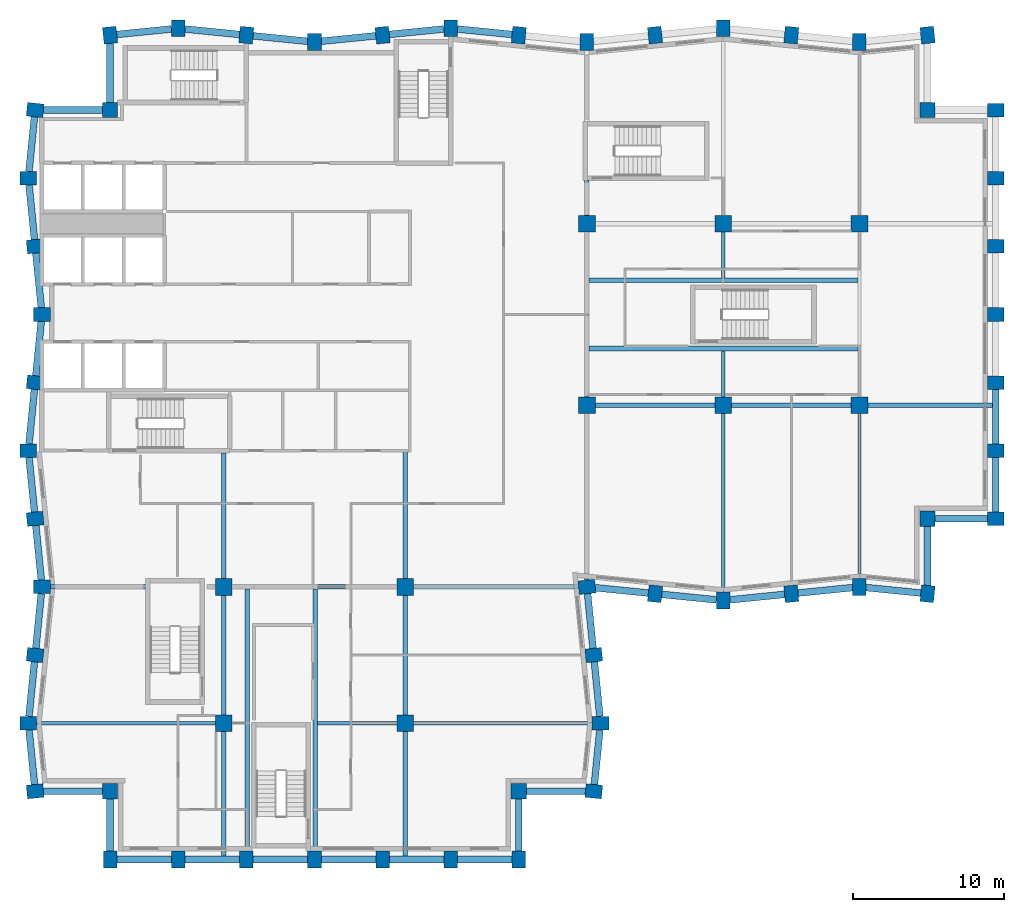
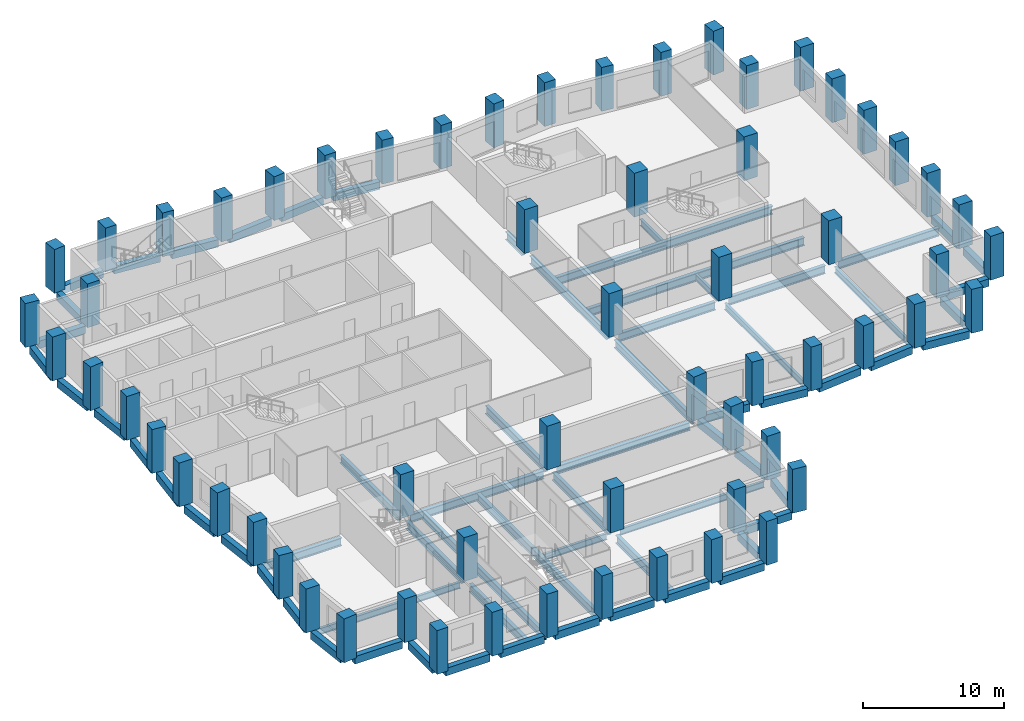
# One storey, part 1 of 10: 66 beams, 62 columns.
"""IFC4 building model written with IfcOpenShell, lengths in metres."""

from ifc_helpers import new_model, si_unit, direction, frame, origin, origin_2d, place, context, subcontext, project, spatial, rectangle, i_section, extrude, material, material_profile, profile_set, type_object, element, save


model = new_model("IFC4")

# Units and contexts
model_context = context("Model", 3, precision=1e-05, world=origin(), true_north=direction((0.0, 1.0)))
body_context = subcontext(model_context, "Body", "Model", "MODEL_VIEW")
ifc_project = project(units=[si_unit("LENGTHUNIT", "METRE"), si_unit("AREAUNIT", "SQUARE_METRE"), si_unit("VOLUMEUNIT", "CUBIC_METRE"), si_unit("PLANEANGLEUNIT", "RADIAN"), si_unit("MASSUNIT", "GRAM", prefix="KILO")], contexts=[model_context])

# Site, building, storey
site_placement = place(None, origin())
site = spatial("IfcSite", under=ifc_project, at=site_placement, CompositionType="ELEMENT")
building_placement = place(site_placement, origin())
building = spatial("IfcBuilding", under=site, at=building_placement, Name="Brondeck Convention Tower", CompositionType="ELEMENT")
storey_placement = place(building_placement, frame((0.0, 0.0, 154.800048828125)))
storey = spatial("IfcBuildingStorey", under=building, at=storey_placement, Name="L37", CompositionType="ELEMENT", Elevation=154.800048828125)

# Columns
ifc_material_1 = material(Name="Concrete C70/85", Category="concrete")
ifc_material_profile_1 = material_profile(ifc_material_1, rectangle(XDim=1.0, YDim=1.0, at=origin_2d()), Name="Corner column 1000x1000 Concrete C70/85")
ifc_profile_set_1 = profile_set([ifc_material_profile_1], Name="Concrete C70/85")
column_type_1 = type_object("IfcColumnType", Name="Corner column 1000x1000 Concrete C70/85", PredefinedType="COLUMN", material=ifc_profile_set_1)
for number, where, z_axis, x_axis, name in (
    (1, (4.5, 13.5, 0.0), (0.0, 0.0, 1.0), (1.0, 0.0, 0.0), "STR-COL-L37-NC-SWB9"),
    (2, (31.5, 13.5, 0.0), (0.0, 0.0, 1.0), (1.0, 0.0, 0.0), "STR-COL-L37-NC-SEB9"),
    (3, (58.5, 31.5, 0.0), (0.0, 0.0, 1.0), (1.0, 0.0, 0.0), "STR-COL-L37-NC-SEA63"),
    (4, (58.5, 58.5, 0.0), (0.0, 0.0, 1.0), (1.0, 0.0, 0.0), "STR-COL-L37-NC-NEA63"),
    (5, (4.5, 58.5, 0.0), (0.0, 0.0, 1.0), (1.0, 0.0, 0.0), "STR-COL-L37-NC-NW"),
):
    element("IfcColumn", number, at=place(storey_placement, frame(where, z_axis=z_axis, x_axis=x_axis)), inside=storey, type_object=column_type_1, Name=name, PredefinedType="COLUMN", context=body_context, shape_type="SweptSolid", body=[
        extrude(rectangle(XDim=1.0, YDim=1.0, at=origin_2d()), origin(), (0.0, 0.0, 1.0), 3.800048828125),
    ])
ifc_material_profile_2 = material_profile(ifc_material_1, rectangle(XDim=1.10009765625, YDim=1.10009765625, at=origin_2d()), Name="Interior column 1100x1100 Concrete C70/85")
ifc_profile_set_2 = profile_set([ifc_material_profile_2], Name="Concrete C70/85")
column_type_2 = type_object("IfcColumnType", Name="Interior column 1100x1100 Concrete C70/85", PredefinedType="COLUMN", material=ifc_profile_set_2)
for number, where, z_axis, x_axis, name in (
    (6, (12.0, 18.0, 0.0), (0.0, 0.0, 1.0), (1.0, 0.0, 0.0), "STR-COL-L37-IC-02"),
    (7, (12.0, 27.0, 0.0), (0.0, 0.0, 1.0), (1.0, 0.0, 0.0), "STR-COL-L37-IC-03"),
    (8, (24.0, 18.0, 0.0), (0.0, 0.0, 1.0), (1.0, 0.0, 0.0), "STR-COL-L37-IC-05"),
    (9, (24.0, 27.0, 0.0), (0.0, 0.0, 1.0), (1.0, 0.0, 0.0), "STR-COL-L37-IC-06"),
    (10, (36.0, 39.0, 0.0), (0.0, 0.0, 1.0), (1.0, 0.0, 0.0), "STR-COL-L37-IC-07"),
    (11, (36.0, 51.0, 0.0), (0.0, 0.0, 1.0), (1.0, 0.0, 0.0), "STR-COL-L37-IC-08"),
    (12, (45.0, 39.0, 0.0), (0.0, 0.0, 1.0), (1.0, 0.0, 0.0), "STR-COL-L37-IC-09"),
    (13, (45.0, 51.0, 0.0), (0.0, 0.0, 1.0), (1.0, 0.0, 0.0), "STR-COL-L37-IC-10"),
    (14, (54.0, 39.0, 0.0), (0.0, 0.0, 1.0), (1.0, 0.0, 0.0), "STR-COL-L37-IC-11"),
    (15, (54.0, 51.0, 0.0), (0.0, 0.0, 1.0), (1.0, 0.0, 0.0), "STR-COL-L37-IC-12"),
):
    element("IfcColumn", number, at=place(storey_placement, frame(where, z_axis=z_axis, x_axis=x_axis)), inside=storey, type_object=column_type_2, Name=name, PredefinedType="COLUMN", context=body_context, shape_type="SweptSolid", body=[
        extrude(rectangle(XDim=1.10009765625, YDim=1.10009765625, at=origin_2d()), origin(), (0.0, 0.0, 1.0), 3.800048828125),
    ])
ifc_material_profile_3 = material_profile(ifc_material_1, rectangle(XDim=0.89990234375, YDim=1.10009765625, at=origin_2d()), Name="Perimeter pier 900x1100 Concrete C70/85")
ifc_profile_set_3 = profile_set([ifc_material_profile_3], Name="Concrete C70/85")
column_type_3 = type_object("IfcColumnType", Name="Perimeter pier 900x1100 Concrete C70/85", PredefinedType="COLUMN", material=ifc_profile_set_3)
for number, where, z_axis, x_axis, name in (
    (16, (4.5, 9.0, 0.0), (0.0, 0.0, 1.0), (1.0, 0.0, 0.0), "STR-COL-L37-PC-B-S9-01"),
    (17, (9.0, 9.0, 0.0), (0.0, 0.0, 1.0), (1.0, 0.0, 0.0), "STR-COL-L37-PC-B-S9-02"),
    (18, (13.5, 9.0, 0.0), (0.0, 0.0, 1.0), (1.0, 0.0, 0.0), "STR-COL-L37-PC-B-S9-03"),
    (19, (18.0, 9.0, 0.0), (0.0, 0.0, 1.0), (1.0, 0.0, 0.0), "STR-COL-L37-PC-B-S9-04"),
    (20, (22.5, 9.0, 0.0), (0.0, 0.0, 1.0), (1.0, 0.0, 0.0), "STR-COL-L37-PC-B-S9-05"),
    (21, (27.0, 9.0, 0.0), (0.0, 0.0, 1.0), (1.0, 0.0, 0.0), "STR-COL-L37-PC-B-S9-06"),
    (22, (31.5, 9.0, 0.0), (0.0, 0.0, 1.0), (1.0, 0.0, 0.0), "STR-COL-L37-PC-B-S9-07"),
    (23, (36.449951171875, 13.5, 0.0), (0.0, 0.0, 1.0), (0.0995038382, 0.995037178292, 0.0), "STR-COL-L37-PC-B-E-03"),
    (24, (36.89990234375, 18.0, 0.0), (0.0, 0.0, 1.0), (0.0, 1.0, 0.0), "STR-COL-L37-PC-B-E-02"),
    (25, (36.449951171875, 22.5, 0.0), (0.0, 0.0, 1.0), (-0.0995038382, 0.995037178292, 0.0), "STR-COL-L37-PC-B-E-01"),
    (26, (36.0, 27.0, 0.0), (0.0, 0.0, 1.0), (-0.0995038382, 0.995037178292, 0.0), "STR-COL-L37-PC-B-E-00"),
    (27, (40.5, 26.550048828125, 0.0), (0.0, 0.0, 1.0), (0.995037178292, -0.0995038382, 0.0), "STR-COL-L37-PC-A-S-01"),
    (28, (45.0, 26.10009765625, 0.0), (0.0, 0.0, 1.0), (1.0, 0.0, 0.0), "STR-COL-L37-PC-A-S-02"),
    (29, (49.5, 26.550048828125, 0.0), (0.0, 0.0, 1.0), (0.995037178292, 0.0995038382, 0.0), "STR-COL-L37-PC-A-S-03"),
    (30, (54.0, 27.0, 0.0), (0.0, 0.0, 1.0), (1.0, 0.0, 0.0), "STR-COL-L37-PC-A-S-04"),
    (31, (58.5, 26.550048828125, 0.0), (0.0, 0.0, 1.0), (0.995037178292, -0.0995038382, 0.0), "STR-COL-L37-PC-A-S-05"),
    (32, (63.0, 31.5, 0.0), (0.0, 0.0, 1.0), (0.0, 1.0, 0.0), "STR-COL-L37-PC-A-E63-01"),
    (33, (63.0, 36.0, 0.0), (0.0, 0.0, 1.0), (0.0, 1.0, 0.0), "STR-COL-L37-PC-A-E63-02"),
    (34, (63.0, 40.5, 0.0), (0.0, 0.0, 1.0), (0.0, 1.0, 0.0), "STR-COL-L37-PC-A-E63-03"),
    (35, (63.0, 45.0, 0.0), (0.0, 0.0, 1.0), (0.0, 1.0, 0.0), "STR-COL-L37-PC-A-E63-04"),
    (36, (63.0, 49.5, 0.0), (0.0, 0.0, 1.0), (0.0, 1.0, 0.0), "STR-COL-L37-PC-A-E63-05"),
    (37, (63.0, 54.0, 0.0), (0.0, 0.0, 1.0), (0.0, 1.0, 0.0), "STR-COL-L37-PC-A-E63-06"),
    (38, (63.0, 58.5, 0.0), (0.0, 0.0, 1.0), (0.0, 1.0, 0.0), "STR-COL-L37-PC-A-E63-07"),
    (39, (58.5, 63.449951171875, 0.0), (0.0, 0.0, 1.0), (-0.995037178292, -0.0995038382, 0.0), "STR-COL-L37-PC-A-N-13"),
    (40, (54.0, 63.0, 0.0), (0.0, 0.0, 1.0), (-1.0, 0.0, 0.0), "STR-COL-L37-PC-A-N-12"),
    (41, (49.5, 63.449951171875, 0.0), (0.0, 0.0, 1.0), (-0.995037178292, 0.0995038382, 0.0), "STR-COL-L37-PC-A-N-11"),
    (42, (45.0, 63.89990234375, 0.0), (0.0, 0.0, 1.0), (-1.0, 0.0, 0.0), "STR-COL-L37-PC-A-N-10"),
    (43, (40.5, 63.449951171875, 0.0), (0.0, 0.0, 1.0), (-0.995037178292, -0.0995038382, 0.0), "STR-COL-L37-PC-A-N-09"),
    (44, (36.0, 63.0, 0.0), (0.0, 0.0, 1.0), (-1.0, 0.0, 0.0), "STR-COL-L37-PC-A-N-08"),
    (45, (31.5, 63.449951171875, 0.0), (0.0, 0.0, 1.0), (-0.995037178292, 0.0995038382, 0.0), "STR-COL-L37-PC-A-N-07"),
    (46, (27.0, 63.89990234375, 0.0), (0.0, 0.0, 1.0), (-1.0, 0.0, 0.0), "STR-COL-L37-PC-A-N-06"),
    (47, (22.5, 63.449951171875, 0.0), (0.0, 0.0, 1.0), (-0.995037178292, -0.0995038382, 0.0), "STR-COL-L37-PC-A-N-05"),
    (48, (18.0, 63.0, 0.0), (0.0, 0.0, 1.0), (-1.0, 0.0, 0.0), "STR-COL-L37-PC-A-N-04"),
    (49, (13.5, 63.449951171875, 0.0), (0.0, 0.0, 1.0), (-0.995037178292, 0.0995038382, 0.0), "STR-COL-L37-PC-A-N-03"),
    (50, (9.0, 63.89990234375, 0.0), (0.0, 0.0, 1.0), (-1.0, 0.0, 0.0), "STR-COL-L37-PC-A-N-02"),
    (51, (4.5, 63.449951171875, 0.0), (0.0, 0.0, 1.0), (-0.995037178292, -0.0995038382, 0.0), "STR-COL-L37-PC-A-N-01"),
    (52, (-0.449951171875, 58.5, 0.0), (0.0, 0.0, 1.0), (-0.0995038382, -0.995037178292, 0.0), "STR-COL-L37-PC-B-W-01"),
    (53, (-0.89990234375, 54.0, 0.0), (0.0, 0.0, 1.0), (0.0, -1.0, 0.0), "STR-COL-L37-PC-B-W-02"),
    (54, (-0.449951171875, 49.5, 0.0), (0.0, 0.0, 1.0), (0.0995038382, -0.995037178292, 0.0), "STR-COL-L37-PC-B-W-03"),
    (55, (0.0, 45.0, 0.0), (0.0, 0.0, 1.0), (0.0, -1.0, 0.0), "STR-COL-L37-PC-B-W-04"),
    (56, (-0.449951171875, 40.5, 0.0), (0.0, 0.0, 1.0), (-0.0995038382, -0.995037178292, 0.0), "STR-COL-L37-PC-B-W-05"),
    (57, (-0.89990234375, 36.0, 0.0), (0.0, 0.0, 1.0), (0.0, -1.0, 0.0), "STR-COL-L37-PC-B-W-06"),
    (58, (-0.449951171875, 31.5, 0.0), (0.0, 0.0, 1.0), (0.0995038382, -0.995037178292, 0.0), "STR-COL-L37-PC-B-W-07"),
    (59, (0.0, 27.0, 0.0), (0.0, 0.0, 1.0), (0.0, -1.0, 0.0), "STR-COL-L37-PC-B-W-08"),
    (60, (-0.449951171875, 22.5, 0.0), (0.0, 0.0, 1.0), (-0.0995038382, -0.995037178292, 0.0), "STR-COL-L37-PC-B-W-09"),
    (61, (-0.89990234375, 18.0, 0.0), (0.0, 0.0, 1.0), (0.0, -1.0, 0.0), "STR-COL-L37-PC-B-W-10"),
    (62, (-0.449951171875, 13.5, 0.0), (0.0, 0.0, 1.0), (0.0995038382, -0.995037178292, 0.0), "STR-COL-L37-PC-B-W-11"),
):
    element("IfcColumn", number, at=place(storey_placement, frame(where, z_axis=z_axis, x_axis=x_axis)), inside=storey, type_object=column_type_3, Name=name, PredefinedType="COLUMN", context=body_context, shape_type="SweptSolid", body=[
        extrude(rectangle(XDim=0.89990234375, YDim=1.10009765625, at=origin_2d()), origin(), (0.0, 0.0, 1.0), 3.800048828125),
    ])

# Beams
ifc_material_2 = material(Name="Steel S355", Category="steel")
ifc_material_profile_4 = material_profile(ifc_material_2, i_section(OverallWidth=0.2099609375, OverallDepth=0.550048828125, WebThickness=0.010986328125, FlangeThickness=0.01708984375, FilletRadius=0.02392578125, at=origin_2d()), Name="IPE 550")
ifc_profile_set_4 = profile_set([ifc_material_profile_4], Name="Steel S355")
beam_type_1 = type_object("IfcBeamType", Name="Floor beam IPE 550", PredefinedType="BEAM", material=ifc_profile_set_4)
beam_1_placement = place(storey_placement, frame((45.0, 26.64990234375, -0.574951171875), z_axis=(0.0, 1.0, 0.0), x_axis=(-1.0, 0.0, 0.0)))
element("IfcBeam", 63, at=beam_1_placement, inside=storey, type_object=beam_type_1, Name="STR-FB-L37-001", PredefinedType="BEAM", context=body_context, shape_type="SweptSolid", body=[
    extrude(i_section(OverallWidth=0.2099609375, OverallDepth=0.550048828125, WebThickness=0.010986328125, FlangeThickness=0.01708984375, FilletRadius=0.02392578125, at=origin_2d()), origin(), (0.0, 0.0, 1.0), 11.800048828125),
])
beam_2_placement = place(storey_placement, frame((54.0, 27.550048828125, -0.574951171875), z_axis=(0.0, 1.0, 0.0), x_axis=(-1.0, 0.0, 0.0)))
element("IfcBeam", 64, at=beam_2_placement, inside=storey, type_object=beam_type_1, Name="STR-FB-L37-003", PredefinedType="BEAM", context=body_context, shape_type="SweptSolid", body=[
    extrude(i_section(OverallWidth=0.2099609375, OverallDepth=0.550048828125, WebThickness=0.010986328125, FlangeThickness=0.01708984375, FilletRadius=0.02392578125, at=origin_2d()), origin(), (0.0, 0.0, 1.0), 10.89990234375),
])
for number, where, z_axis, x_axis, name in (
    (65, (-0.35009765625, 18.0, -0.574951171875), (1.0, 0.0, 0.0), (0.0, 1.0, 0.0), "STR-FB-L37-006"),
    (66, (24.550048828125, 18.0, -0.574951171875), (1.0, 0.0, 0.0), (0.0, 1.0, 0.0), "STR-FB-L37-007"),
):
    element("IfcBeam", number, at=place(storey_placement, frame(where, z_axis=z_axis, x_axis=x_axis)), inside=storey, type_object=beam_type_1, Name=name, PredefinedType="BEAM", context=body_context, shape_type="SweptSolid", body=[
        extrude(i_section(OverallWidth=0.2099609375, OverallDepth=0.550048828125, WebThickness=0.010986328125, FlangeThickness=0.01708984375, FilletRadius=0.02392578125, at=origin_2d()), origin(), (0.0, 0.0, 1.0), 11.800048828125),
    ])
for number, where, z_axis, x_axis, name in (
    (67, (45.0, 39.550048828125, -0.574951171875), (0.0, 1.0, 0.0), (-1.0, 0.0, 0.0), "STR-FB-L37-008"),
    (68, (45.0, 47.39990234375, -0.574951171875), (0.0, 1.0, 0.0), (-1.0, 0.0, 0.0), "STR-FB-L37-009"),
):
    element("IfcBeam", number, at=place(storey_placement, frame(where, z_axis=z_axis, x_axis=x_axis)), inside=storey, type_object=beam_type_1, Name=name, PredefinedType="BEAM", context=body_context, shape_type="SweptSolid", body=[
        extrude(i_section(OverallWidth=0.2099609375, OverallDepth=0.550048828125, WebThickness=0.010986328125, FlangeThickness=0.01708984375, FilletRadius=0.02392578125, at=origin_2d()), origin(), (0.0, 0.0, 1.0), 3.050048828125),
    ])
beam_3_placement = place(storey_placement, frame((18.199951171875, 18.0, -0.574951171875), z_axis=(1.0, 0.0, 0.0), x_axis=(0.0, 1.0, 0.0)))
element("IfcBeam", 69, at=beam_3_placement, inside=storey, type_object=beam_type_1, Name="STR-FB-L37-010", PredefinedType="BEAM", context=body_context, shape_type="SweptSolid", body=[
    extrude(i_section(OverallWidth=0.2099609375, OverallDepth=0.550048828125, WebThickness=0.010986328125, FlangeThickness=0.01708984375, FilletRadius=0.02392578125, at=origin_2d()), origin(), (0.0, 0.0, 1.0), 5.25),
])
ifc_material_profile_5 = material_profile(ifc_material_2, i_section(OverallWidth=0.300048828125, OverallDepth=0.699951171875, WebThickness=0.01708984375, FlangeThickness=0.031982421875, FilletRadius=0.027099609375, at=origin_2d()), Name="HEB 700")
ifc_profile_set_5 = profile_set([ifc_material_profile_5], Name="Steel S355")
beam_type_2 = type_object("IfcBeamType", Name="Girder HEB 700", PredefinedType="BEAM", material=ifc_profile_set_5)
for number, where, z_axis, x_axis, name in (
    (70, (36.550048828125, 39.0, -0.650146484375), (1.0, 0.0, 0.0), (0.0, 1.0, 0.0), "STR-GR-L37-001"),
    (71, (45.550048828125, 39.0, -0.650146484375), (1.0, 0.0, 0.0), (0.0, 1.0, 0.0), "STR-GR-L37-002"),
):
    element("IfcBeam", number, at=place(storey_placement, frame(where, z_axis=z_axis, x_axis=x_axis)), inside=storey, type_object=beam_type_2, Name=name, PredefinedType="BEAM", context=body_context, shape_type="SweptSolid", body=[
        extrude(i_section(OverallWidth=0.300048828125, OverallDepth=0.699951171875, WebThickness=0.01708984375, FlangeThickness=0.031982421875, FilletRadius=0.027099609375, at=origin_2d()), origin(), (0.0, 0.0, 1.0), 7.89990234375),
    ])
beam_4_placement = place(storey_placement, frame((54.550048828125, 39.0, -0.650146484375), z_axis=(1.0, 0.0, 0.0), x_axis=(0.0, 1.0, 0.0)))
element("IfcBeam", 72, at=beam_4_placement, inside=storey, type_object=beam_type_2, Name="STR-GR-L37-003", PredefinedType="BEAM", context=body_context, shape_type="SweptSolid", body=[
    extrude(i_section(OverallWidth=0.300048828125, OverallDepth=0.699951171875, WebThickness=0.01708984375, FlangeThickness=0.031982421875, FilletRadius=0.027099609375, at=origin_2d()), origin(), (0.0, 0.0, 1.0), 8.224853515625),
])
beam_5_placement = place(storey_placement, frame((36.0, 27.4521484375, -0.650146484375), z_axis=(0.0, 1.0, 0.0), x_axis=(-1.0, 0.0, 0.0)))
element("IfcBeam", 73, at=beam_5_placement, inside=storey, type_object=beam_type_2, Name="STR-GR-L37-007", PredefinedType="BEAM", context=body_context, shape_type="SweptSolid", body=[
    extrude(i_section(OverallWidth=0.300048828125, OverallDepth=0.699951171875, WebThickness=0.01708984375, FlangeThickness=0.031982421875, FilletRadius=0.027099609375, at=origin_2d()), origin(), (0.0, 0.0, 1.0), 10.997802734375),
])
beam_6_placement = place(storey_placement, frame((36.0, 39.550048828125, -0.650146484375), z_axis=(0.0, 1.0, 0.0), x_axis=(-1.0, 0.0, 0.0)))
element("IfcBeam", 74, at=beam_6_placement, inside=storey, type_object=beam_type_2, Name="STR-GR-L37-008", PredefinedType="BEAM", context=body_context, shape_type="SweptSolid", body=[
    extrude(i_section(OverallWidth=0.300048828125, OverallDepth=0.699951171875, WebThickness=0.01708984375, FlangeThickness=0.031982421875, FilletRadius=0.027099609375, at=origin_2d()), origin(), (0.0, 0.0, 1.0), 10.89990234375),
])
beam_7_placement = place(storey_placement, frame((36.0, 51.550048828125, -0.650146484375), z_axis=(0.0, 1.0, 0.0), x_axis=(-1.0, 0.0, 0.0)))
element("IfcBeam", 75, at=beam_7_placement, inside=storey, type_object=beam_type_2, Name="STR-GR-L37-009", PredefinedType="BEAM", context=body_context, shape_type="SweptSolid", body=[
    extrude(i_section(OverallWidth=0.300048828125, OverallDepth=0.699951171875, WebThickness=0.01708984375, FlangeThickness=0.031982421875, FilletRadius=0.027099609375, at=origin_2d()), origin(), (0.0, 0.0, 1.0), 2.329833984375),
])
beam_8_placement = place(storey_placement, frame((12.0, 35.85009765625, -0.650146484375), z_axis=(0.0, -1.0, 0.0), x_axis=(1.0, 0.0, 0.0)))
element("IfcBeam", 76, at=beam_8_placement, inside=storey, type_object=beam_type_2, Name="STR-GR-L37-011", PredefinedType="BEAM", context=body_context, shape_type="SweptSolid", body=[
    extrude(i_section(OverallWidth=0.300048828125, OverallDepth=0.699951171875, WebThickness=0.01708984375, FlangeThickness=0.031982421875, FilletRadius=0.027099609375, at=origin_2d()), origin(), (0.0, 0.0, 1.0), 8.300048828125),
])
beam_9_placement = place(storey_placement, frame((12.0, 26.449951171875, -0.650146484375), z_axis=(0.0, -1.0, 0.0), x_axis=(1.0, 0.0, 0.0)))
element("IfcBeam", 77, at=beam_9_placement, inside=storey, type_object=beam_type_2, Name="STR-GR-L37-012", PredefinedType="BEAM", context=body_context, shape_type="SweptSolid", body=[
    extrude(i_section(OverallWidth=0.300048828125, OverallDepth=0.699951171875, WebThickness=0.01708984375, FlangeThickness=0.031982421875, FilletRadius=0.027099609375, at=origin_2d()), origin(), (0.0, 0.0, 1.0), 7.89990234375),
])
beam_10_placement = place(storey_placement, frame((12.0, 17.449951171875, -0.650146484375), z_axis=(0.0, -1.0, 0.0), x_axis=(1.0, 0.0, 0.0)))
element("IfcBeam", 78, at=beam_10_placement, inside=storey, type_object=beam_type_2, Name="STR-GR-L37-013", PredefinedType="BEAM", context=body_context, shape_type="SweptSolid", body=[
    extrude(i_section(OverallWidth=0.300048828125, OverallDepth=0.699951171875, WebThickness=0.01708984375, FlangeThickness=0.031982421875, FilletRadius=0.027099609375, at=origin_2d()), origin(), (0.0, 0.0, 1.0), 8.224853515625),
])
beam_11_placement = place(storey_placement, frame((24.0, 35.955078125, -0.650146484375), z_axis=(0.0, -1.0, 0.0), x_axis=(1.0, 0.0, 0.0)))
element("IfcBeam", 79, at=beam_11_placement, inside=storey, type_object=beam_type_2, Name="STR-GR-L37-014", PredefinedType="BEAM", context=body_context, shape_type="SweptSolid", body=[
    extrude(i_section(OverallWidth=0.300048828125, OverallDepth=0.699951171875, WebThickness=0.01708984375, FlangeThickness=0.031982421875, FilletRadius=0.027099609375, at=origin_2d()), origin(), (0.0, 0.0, 1.0), 8.405029296875),
])
beam_12_placement = place(storey_placement, frame((24.0, 26.449951171875, -0.650146484375), z_axis=(0.0, -1.0, 0.0), x_axis=(1.0, 0.0, 0.0)))
element("IfcBeam", 80, at=beam_12_placement, inside=storey, type_object=beam_type_2, Name="STR-GR-L37-015", PredefinedType="BEAM", context=body_context, shape_type="SweptSolid", body=[
    extrude(i_section(OverallWidth=0.300048828125, OverallDepth=0.699951171875, WebThickness=0.01708984375, FlangeThickness=0.031982421875, FilletRadius=0.027099609375, at=origin_2d()), origin(), (0.0, 0.0, 1.0), 7.89990234375),
])
beam_13_placement = place(storey_placement, frame((24.0, 17.449951171875, -0.650146484375), z_axis=(0.0, -1.0, 0.0), x_axis=(1.0, 0.0, 0.0)))
element("IfcBeam", 81, at=beam_13_placement, inside=storey, type_object=beam_type_2, Name="STR-GR-L37-016", PredefinedType="BEAM", context=body_context, shape_type="SweptSolid", body=[
    extrude(i_section(OverallWidth=0.300048828125, OverallDepth=0.699951171875, WebThickness=0.01708984375, FlangeThickness=0.031982421875, FilletRadius=0.027099609375, at=origin_2d()), origin(), (0.0, 0.0, 1.0), 8.224853515625),
])
beam_14_placement = place(storey_placement, frame((0.550048828125, 27.0, -0.650146484375), z_axis=(1.0, 0.0, 0.0), x_axis=(0.0, 1.0, 0.0)))
element("IfcBeam", 82, at=beam_14_placement, inside=storey, type_object=beam_type_2, Name="STR-GR-L37-017", PredefinedType="BEAM", context=body_context, shape_type="SweptSolid", body=[
    extrude(i_section(OverallWidth=0.300048828125, OverallDepth=0.699951171875, WebThickness=0.01708984375, FlangeThickness=0.031982421875, FilletRadius=0.027099609375, at=origin_2d()), origin(), (0.0, 0.0, 1.0), 6.329833984375),
])
beam_15_placement = place(storey_placement, frame((12.550048828125, 27.0, -0.650146484375), z_axis=(1.0, 0.0, 0.0), x_axis=(0.0, 1.0, 0.0)))
element("IfcBeam", 83, at=beam_15_placement, inside=storey, type_object=beam_type_2, Name="STR-GR-L37-018", PredefinedType="BEAM", context=body_context, shape_type="SweptSolid", body=[
    extrude(i_section(OverallWidth=0.300048828125, OverallDepth=0.699951171875, WebThickness=0.01708984375, FlangeThickness=0.031982421875, FilletRadius=0.027099609375, at=origin_2d()), origin(), (0.0, 0.0, 1.0), 10.89990234375),
])
beam_16_placement = place(storey_placement, frame((24.550048828125, 27.0, -0.650146484375), z_axis=(1.0, 0.0, 0.0), x_axis=(0.0, 1.0, 0.0)))
element("IfcBeam", 84, at=beam_16_placement, inside=storey, type_object=beam_type_2, Name="STR-GR-L37-019", PredefinedType="BEAM", context=body_context, shape_type="SweptSolid", body=[
    extrude(i_section(OverallWidth=0.300048828125, OverallDepth=0.699951171875, WebThickness=0.01708984375, FlangeThickness=0.031982421875, FilletRadius=0.027099609375, at=origin_2d()), origin(), (0.0, 0.0, 1.0), 10.897216796875),
])
for number, where, z_axis, x_axis, name in (
    (85, (36.14990234375, 42.75, -0.650146484375), (1.0, 0.0, 0.0), (0.0, 1.0, 0.0), "STR-GR-L37-020"),
    (86, (36.14990234375, 47.25, -0.650146484375), (1.0, 0.0, 0.0), (0.0, 1.0, 0.0), "STR-GR-L37-021"),
):
    element("IfcBeam", number, at=place(storey_placement, frame(where, z_axis=z_axis, x_axis=x_axis)), inside=storey, type_object=beam_type_2, Name=name, PredefinedType="BEAM", context=body_context, shape_type="SweptSolid", body=[
        extrude(i_section(OverallWidth=0.300048828125, OverallDepth=0.699951171875, WebThickness=0.01708984375, FlangeThickness=0.031982421875, FilletRadius=0.027099609375, at=origin_2d()), origin(), (0.0, 0.0, 1.0), 17.7451171875),
    ])
for number, where, z_axis, x_axis, name in (
    (87, (13.550048828125, 9.550048828125, -0.650146484375), (0.0, 1.0, 0.0), (-1.0, 0.0, 0.0), "STR-GR-L37-022"),
    (88, (18.050048828125, 9.550048828125, -0.650146484375), (0.0, 1.0, 0.0), (-1.0, 0.0, 0.0), "STR-GR-L37-023"),
):
    element("IfcBeam", number, at=place(storey_placement, frame(where, z_axis=z_axis, x_axis=x_axis)), inside=storey, type_object=beam_type_2, Name=name, PredefinedType="BEAM", context=body_context, shape_type="SweptSolid", body=[
        extrude(i_section(OverallWidth=0.300048828125, OverallDepth=0.699951171875, WebThickness=0.01708984375, FlangeThickness=0.031982421875, FilletRadius=0.027099609375, at=origin_2d()), origin(), (0.0, 0.0, 1.0), 17.300048828125),
    ])
ifc_material_profile_6 = material_profile(ifc_material_1, rectangle(XDim=0.449951171875, YDim=0.64990234375, at=origin_2d()), Name="Precast spandrel 450x650 Concrete C70/85")
ifc_profile_set_6 = profile_set([ifc_material_profile_6], Name="Concrete C70/85")
beam_type_3 = type_object("IfcBeamType", Name="Precast spandrel 450x650 Concrete C70/85", PredefinedType="SPANDREL", material=ifc_profile_set_6)
for number, where, z_axis, x_axis, name in (
    (89, (4.949951171875, 9.0, -0.324951171875), (1.0, 0.0, 0.0), (0.0, 1.0, 0.0), "STR-SP-L37-001"),
    (90, (9.449951171875, 9.0, -0.324951171875), (1.0, 0.0, 0.0), (0.0, 1.0, 0.0), "STR-SP-L37-002"),
    (91, (13.949951171875, 9.0, -0.324951171875), (1.0, 0.0, 0.0), (0.0, 1.0, 0.0), "STR-SP-L37-003"),
    (92, (18.449951171875, 9.0, -0.324951171875), (1.0, 0.0, 0.0), (0.0, 1.0, 0.0), "STR-SP-L37-004"),
    (93, (22.949951171875, 9.0, -0.324951171875), (1.0, 0.0, 0.0), (0.0, 1.0, 0.0), "STR-SP-L37-005"),
    (94, (27.449951171875, 9.0, -0.324951171875), (1.0, 0.0, 0.0), (0.0, 1.0, 0.0), "STR-SP-L37-006"),
):
    element("IfcBeam", number, at=place(storey_placement, frame(where, z_axis=z_axis, x_axis=x_axis)), inside=storey, type_object=beam_type_3, Name=name, PredefinedType="SPANDREL", context=body_context, shape_type="SweptSolid", body=[
        extrude(rectangle(XDim=0.449951171875, YDim=0.64990234375, at=origin_2d()), origin(), (0.0, 0.0, 1.0), 3.60009765625),
    ])
beam_17_placement = place(storey_placement, frame((31.5, 9.550048828125, -0.324951171875), z_axis=(0.0, 1.0, 0.0), x_axis=(-1.0, 0.0, 0.0)))
element("IfcBeam", 95, at=beam_17_placement, inside=storey, type_object=beam_type_3, Name="STR-SP-L37-007", PredefinedType="SPANDREL", context=body_context, shape_type="SweptSolid", body=[
    extrude(rectangle(XDim=0.449951171875, YDim=0.64990234375, at=origin_2d()), origin(), (0.0, 0.0, 1.0), 3.449951171875),
])
beam_18_placement = place(storey_placement, frame((32.0, 13.5, -0.324951171875), z_axis=(1.0, 0.0, 0.0), x_axis=(0.0, 1.0, 0.0)))
element("IfcBeam", 96, at=beam_18_placement, inside=storey, type_object=beam_type_3, Name="STR-SP-L37-008", PredefinedType="SPANDREL", context=body_context, shape_type="SweptSolid", body=[
    extrude(rectangle(XDim=0.449951171875, YDim=0.64990234375, at=origin_2d()), origin(), (0.0, 0.0, 1.0), 3.897216796875),
])
for number, where, z_axis, x_axis, name in (
    (97, (36.494873046875, 13.94775390625, -0.324951171875), (0.099470334057, 0.995040528141, 0.0), (-0.995040528141, 0.099470334057, 0.0), "STR-SP-L37-009"),
    (98, (36.85498046875, 18.449951171875, -0.324951171875), (-0.099470334057, 0.995040528141, 0.0), (-0.995040528141, -0.099470334057, 0.0), "STR-SP-L37-010"),
):
    element("IfcBeam", number, at=place(storey_placement, frame(where, z_axis=z_axis, x_axis=x_axis)), inside=storey, type_object=beam_type_3, Name=name, PredefinedType="SPANDREL", context=body_context, shape_type="SweptSolid", body=[
        extrude(rectangle(XDim=0.449951171875, YDim=0.64990234375, at=origin_2d()), origin(), (0.0, 0.0, 1.0), 3.620361328125),
    ])
beam_19_placement = place(storey_placement, frame((36.4052734375, 22.94775390625, -0.324951171875), z_axis=(-0.099543756114, 0.995033185687, 0.0), x_axis=(-0.995033185687, -0.099543756114, 0.0)))
element("IfcBeam", 99, at=beam_19_placement, inside=storey, type_object=beam_type_3, Name="STR-SP-L37-011", PredefinedType="SPANDREL", context=body_context, shape_type="SweptSolid", body=[
    extrude(rectangle(XDim=0.449951171875, YDim=0.64990234375, at=origin_2d()), origin(), (0.0, 0.0, 1.0), 3.62255859375),
])
beam_20_placement = place(storey_placement, frame((36.558349609375, 26.944091796875, -0.324951171875), z_axis=(0.995037878598, -0.099496834901, 0.0), x_axis=(0.099496834901, 0.995037878598, 0.0)))
element("IfcBeam", 100, at=beam_20_placement, inside=storey, type_object=beam_type_3, Name="STR-SP-L37-012", PredefinedType="SPANDREL", context=body_context, shape_type="SweptSolid", body=[
    extrude(rectangle(XDim=0.449951171875, YDim=0.64990234375, at=origin_2d()), origin(), (0.0, 0.0, 1.0), 3.51123046875),
])
for number, where, z_axis, x_axis, name in (
    (101, (40.94775390625, 26.505126953125, -0.324951171875), (0.995040528141, -0.099470334057, 0.0), (0.099470334057, 0.995040528141, 0.0), "STR-SP-L37-013"),
    (102, (45.449951171875, 26.14501953125, -0.324951171875), (0.995040528141, 0.099470334057, 0.0), (-0.099470334057, 0.995040528141, 0.0), "STR-SP-L37-014"),
    (103, (49.94775390625, 26.5947265625, -0.324951171875), (0.995033851182, 0.099537103649, 0.0), (-0.099537103649, 0.995033851182, 0.0), "STR-SP-L37-015"),
    (104, (54.449951171875, 26.955078125, -0.324951171875), (0.995033851182, -0.099537103649, 0.0), (0.099537103649, 0.995033851182, 0.0), "STR-SP-L37-016"),
):
    element("IfcBeam", number, at=place(storey_placement, frame(where, z_axis=z_axis, x_axis=x_axis)), inside=storey, type_object=beam_type_3, Name=name, PredefinedType="SPANDREL", context=body_context, shape_type="SweptSolid", body=[
        extrude(rectangle(XDim=0.449951171875, YDim=0.64990234375, at=origin_2d()), origin(), (0.0, 0.0, 1.0), 3.620361328125),
    ])
beam_21_placement = place(storey_placement, frame((58.5, 27.102783203125, -0.324951171875), z_axis=(0.0, 1.0, 0.0), x_axis=(-1.0, 0.0, 0.0)))
element("IfcBeam", 105, at=beam_21_placement, inside=storey, type_object=beam_type_3, Name="STR-SP-L37-017", PredefinedType="SPANDREL", context=body_context, shape_type="SweptSolid", body=[
    extrude(rectangle(XDim=0.449951171875, YDim=0.64990234375, at=origin_2d()), origin(), (0.0, 0.0, 1.0), 3.897216796875),
])
beam_22_placement = place(storey_placement, frame((59.0, 31.5, -0.324951171875), z_axis=(1.0, 0.0, 0.0), x_axis=(0.0, 1.0, 0.0)))
element("IfcBeam", 106, at=beam_22_placement, inside=storey, type_object=beam_type_3, Name="STR-SP-L37-018", PredefinedType="SPANDREL", context=body_context, shape_type="SweptSolid", body=[
    extrude(rectangle(XDim=0.449951171875, YDim=0.64990234375, at=origin_2d()), origin(), (0.0, 0.0, 1.0), 3.449951171875),
])
for number, where, z_axis, x_axis, name in (
    (107, (63.0, 31.949951171875, -0.324951171875), (0.0, 1.0, 0.0), (-1.0, 0.0, 0.0), "STR-SP-L37-019"),
    (108, (63.0, 36.449951171875, -0.324951171875), (0.0, 1.0, 0.0), (-1.0, 0.0, 0.0), "STR-SP-L37-020"),
):
    element("IfcBeam", number, at=place(storey_placement, frame(where, z_axis=z_axis, x_axis=x_axis)), inside=storey, type_object=beam_type_3, Name=name, PredefinedType="SPANDREL", context=body_context, shape_type="SweptSolid", body=[
        extrude(rectangle(XDim=0.449951171875, YDim=0.64990234375, at=origin_2d()), origin(), (0.0, 0.0, 1.0), 3.60009765625),
    ])
for number, where, z_axis, x_axis, name in (
    (109, (31.05224609375, 63.494873046875, -0.324951171875), (-0.995040528141, 0.099470334057, 0.0), (-0.099470334057, -0.995040528141, 0.0), "STR-SP-L37-033"),
    (110, (26.550048828125, 63.85498046875, -0.324951171875), (-0.995040528141, -0.099470334057, 0.0), (0.099470334057, -0.995040528141, 0.0), "STR-SP-L37-034"),
    (111, (22.05224609375, 63.4052734375, -0.324951171875), (-0.995033851182, -0.099537103649, 0.0), (0.099537103649, -0.995033851182, 0.0), "STR-SP-L37-035"),
    (112, (17.550048828125, 63.044921875, -0.324951171875), (-0.995033851182, 0.099537103649, 0.0), (-0.099537103649, -0.995033851182, 0.0), "STR-SP-L37-036"),
    (113, (13.05224609375, 63.494873046875, -0.324951171875), (-0.995040528141, 0.099470334057, 0.0), (-0.099470334057, -0.995040528141, 0.0), "STR-SP-L37-037"),
    (114, (8.550048828125, 63.85498046875, -0.324951171875), (-0.995040528141, -0.099470334057, 0.0), (0.099470334057, -0.995040528141, 0.0), "STR-SP-L37-038"),
):
    element("IfcBeam", number, at=place(storey_placement, frame(where, z_axis=z_axis, x_axis=x_axis)), inside=storey, type_object=beam_type_3, Name=name, PredefinedType="SPANDREL", context=body_context, shape_type="SweptSolid", body=[
        extrude(rectangle(XDim=0.449951171875, YDim=0.64990234375, at=origin_2d()), origin(), (0.0, 0.0, 1.0), 3.620361328125),
    ])
for number, where, z_axis, x_axis, name in (
    (115, (4.5, 62.897216796875, -0.324951171875), (0.0, -1.0, 0.0), (1.0, 0.0, 0.0), "STR-SP-L37-039"),
    (116, (4.0, 58.5, -0.324951171875), (-1.0, 0.0, 0.0), (0.0, -1.0, 0.0), "STR-SP-L37-040"),
):
    element("IfcBeam", number, at=place(storey_placement, frame(where, z_axis=z_axis, x_axis=x_axis)), inside=storey, type_object=beam_type_3, Name=name, PredefinedType="SPANDREL", context=body_context, shape_type="SweptSolid", body=[
        extrude(rectangle(XDim=0.449951171875, YDim=0.64990234375, at=origin_2d()), origin(), (0.0, 0.0, 1.0), 3.897216796875),
    ])
for number, where, z_axis, x_axis, name in (
    (117, (-0.494873046875, 58.05224609375, -0.324951171875), (-0.099470334057, -0.995040528141, 0.0), (0.995040528141, -0.099470334057, 0.0), "STR-SP-L37-041"),
    (118, (-0.85498046875, 53.550048828125, -0.324951171875), (0.099470334057, -0.995040528141, 0.0), (0.995040528141, 0.099470334057, 0.0), "STR-SP-L37-042"),
    (119, (-0.4052734375, 49.05224609375, -0.324951171875), (0.099537103649, -0.995033851182, 0.0), (0.995033851182, 0.099537103649, 0.0), "STR-SP-L37-043"),
    (120, (-0.044921875, 44.550048828125, -0.324951171875), (-0.099537103649, -0.995033851182, 0.0), (0.995033851182, -0.099537103649, 0.0), "STR-SP-L37-044"),
    (121, (-0.494873046875, 40.05224609375, -0.324951171875), (-0.099470334057, -0.995040528141, 0.0), (0.995040528141, -0.099470334057, 0.0), "STR-SP-L37-045"),
    (122, (-0.85498046875, 35.550048828125, -0.324951171875), (0.099470334057, -0.995040528141, 0.0), (0.995040528141, 0.099470334057, 0.0), "STR-SP-L37-046"),
    (123, (-0.4052734375, 31.05224609375, -0.324951171875), (0.099537103649, -0.995033851182, 0.0), (0.995033851182, 0.099537103649, 0.0), "STR-SP-L37-047"),
    (124, (-0.044921875, 26.550048828125, -0.324951171875), (-0.099537103649, -0.995033851182, 0.0), (0.995033851182, -0.099537103649, 0.0), "STR-SP-L37-048"),
    (125, (-0.494873046875, 22.05224609375, -0.324951171875), (-0.099470334057, -0.995040528141, 0.0), (0.995040528141, -0.099470334057, 0.0), "STR-SP-L37-049"),
    (126, (-0.85498046875, 17.550048828125, -0.324951171875), (0.099470334057, -0.995040528141, 0.0), (0.995040528141, 0.099470334057, 0.0), "STR-SP-L37-050"),
):
    element("IfcBeam", number, at=place(storey_placement, frame(where, z_axis=z_axis, x_axis=x_axis)), inside=storey, type_object=beam_type_3, Name=name, PredefinedType="SPANDREL", context=body_context, shape_type="SweptSolid", body=[
        extrude(rectangle(XDim=0.449951171875, YDim=0.64990234375, at=origin_2d()), origin(), (0.0, 0.0, 1.0), 3.620361328125),
    ])
beam_23_placement = place(storey_placement, frame((0.102783203125, 13.5, -0.324951171875), z_axis=(1.0, 0.0, 0.0), x_axis=(0.0, 1.0, 0.0)))
element("IfcBeam", 127, at=beam_23_placement, inside=storey, type_object=beam_type_3, Name="STR-SP-L37-051", PredefinedType="SPANDREL", context=body_context, shape_type="SweptSolid", body=[
    extrude(rectangle(XDim=0.449951171875, YDim=0.64990234375, at=origin_2d()), origin(), (0.0, 0.0, 1.0), 3.897216796875),
])
beam_24_placement = place(storey_placement, frame((4.5, 13.0, -0.324951171875), z_axis=(0.0, -1.0, 0.0), x_axis=(1.0, 0.0, 0.0)))
element("IfcBeam", 128, at=beam_24_placement, inside=storey, type_object=beam_type_3, Name="STR-SP-L37-052", PredefinedType="SPANDREL", context=body_context, shape_type="SweptSolid", body=[
    extrude(rectangle(XDim=0.449951171875, YDim=0.64990234375, at=origin_2d()), origin(), (0.0, 0.0, 1.0), 3.449951171875),
])

save(model, "model.ifc")
